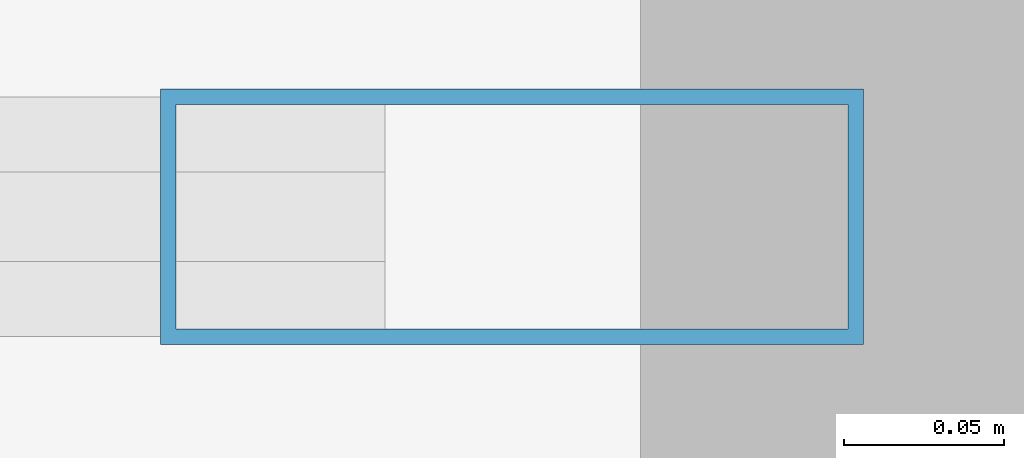
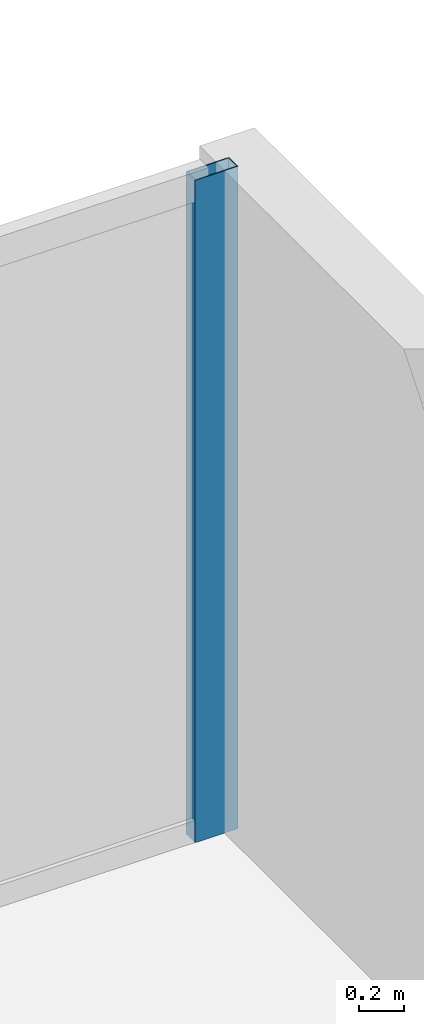
# One storey, part 14 of 24: 1 member, 1 element without a shape of its own.
"""IFC4 building model written with IfcOpenShell, lengths in metres."""

import ifcopenshell
import ifcopenshell.guid

model = None  # the IFC model being written
_history = None  # IfcOwnerHistory: only IFC2X3 demands one
_inside = {}  # id of a spatial element -> (the spatial element, [elements in it])
_under = {}  # id of a project, library or spatial element -> (it, [spatial elements below it])
_declared = {}  # id of a project -> (the project, [libraries it declares])
_typed = {}  # id of a type object -> (the type object, [elements of that type])
_made_of = {}  # id of a material, layer set ... -> (it, [elements and type objects made of it])


def new_model(schema):
    """Start an empty IFC model of exactly this schema.

    Asked for "IFC4X3", IfcOpenShell would pick the latest addendum, in which some entities
    have other attributes; the version numbers below select the first issue.
    IFC2X3 requires an IfcOwnerHistory on every rooted entity: one is made here for all.
    """
    global model, _history
    if schema == "IFC4X3":
        model = ifcopenshell.file(schema_version=(4, 3, 0, 0))
    else:
        model = ifcopenshell.file(schema=schema)
    _inside.clear()
    _under.clear()
    _declared.clear()
    _typed.clear()
    _made_of.clear()
    _history = None
    if model.schema == "IFC2X3":
        org = make("IfcOrganization", Name="unknown")
        user = make(
            "IfcPersonAndOrganization",
            ThePerson=make("IfcPerson", FamilyName="unknown"),
            TheOrganization=org,
        )
        app = make(
            "IfcApplication",
            ApplicationDeveloper=org,
            Version="unknown",
            ApplicationFullName="unknown",
            ApplicationIdentifier="unknown",
        )
        _history = make(
            "IfcOwnerHistory",
            OwningUser=user,
            OwningApplication=app,
            ChangeAction="ADDED",
            CreationDate=0,
        )
    return model


def make(cls, **values):
    """One entity of the class cls with the attributes given. An attribute that is None is left unset."""
    return model.create_entity(
        cls, **{name: value for name, value in values.items() if value is not None}
    )


def rooted(cls, **values):
    """An entity with a GlobalId (a new one), such as an element, a storey or a relation."""
    return make(cls, GlobalId=ifcopenshell.guid.new(), OwnerHistory=_history, **values)


def si_unit(unit_type, name, prefix=None):
    """IfcSIUnit, for example si_unit("LENGTHUNIT", "METRE", prefix="MILLI")."""
    return make("IfcSIUnit", UnitType=unit_type, Prefix=prefix, Name=name)


def assignment(units):
    """IfcUnitAssignment: the units of a project."""
    return None if units is None else make("IfcUnitAssignment", Units=units)


def point(xyz):
    """IfcCartesianPoint."""
    return None if xyz is None else make("IfcCartesianPoint", Coordinates=xyz)


def direction(xyz):
    """IfcDirection."""
    return None if xyz is None else make("IfcDirection", DirectionRatios=xyz)


def frame(location, z_axis=None, x_axis=None):
    """IfcAxis2Placement3D, a coordinate frame: its origin and axes. An axis left out is left unset."""
    return make(
        "IfcAxis2Placement3D",
        Location=point(location),
        Axis=direction(z_axis),
        RefDirection=direction(x_axis),
    )


def frame_2d(location, x_axis=None):
    """IfcAxis2Placement2D, a coordinate frame in the plane: its origin and x axis."""
    return make(
        "IfcAxis2Placement2D", Location=point(location), RefDirection=direction(x_axis)
    )


def origin():
    """The frame at (0, 0, 0) with its axes left unset."""
    return frame((0.0, 0.0, 0.0))


def origin_with_axes():
    """The frame at (0, 0, 0) with the z axis (0, 0, 1) and the x axis (1, 0, 0) written out."""
    return frame((0.0, 0.0, 0.0), z_axis=(0.0, 0.0, 1.0), x_axis=(1.0, 0.0, 0.0))


def origin_2d():
    """The frame at (0, 0) in the plane with its x axis left unset."""
    return frame_2d((0.0, 0.0))


def place(relative_to, where):
    """IfcLocalPlacement: puts the frame where relative to a parent placement (None: the world)."""
    return make(
        "IfcLocalPlacement", PlacementRelTo=relative_to, RelativePlacement=where
    )


def context(
    kind, dimensions, precision=None, world=None, true_north=None, identifier=None
):
    """IfcGeometricRepresentationContext, for example the 3D "Model" context."""
    return make(
        "IfcGeometricRepresentationContext",
        ContextIdentifier=identifier,
        ContextType=kind,
        CoordinateSpaceDimension=dimensions,
        Precision=precision,
        WorldCoordinateSystem=world,
        TrueNorth=true_north,
    )


def subcontext(parent, identifier, kind, view, scale=None):
    """IfcGeometricRepresentationSubContext, for example "Body" below "Model"."""
    return make(
        "IfcGeometricRepresentationSubContext",
        ContextIdentifier=identifier,
        ContextType=kind,
        ParentContext=parent,
        TargetScale=scale,
        TargetView=view,
    )


def project(units=None, contexts=None):
    """IfcProject with its units and contexts."""
    return rooted(
        "IfcProject",
        Name="project",
        RepresentationContexts=contexts,
        UnitsInContext=assignment(units),
    )


def spatial(cls, under=None, at=None, **own):
    """A site, building, storey or space (cls), placed at a placement, below another one or the project."""
    s = rooted(cls, ObjectPlacement=at, **own)
    if under is not None:
        _under.setdefault(under.id(), (under, []))[1].append(s)
    return s


def profile(cls, at=None, kind="AREA", **sizes):
    """A parametric profile (cls). Its sizes go by their IFC names, for example OverallWidth=200.0."""
    return make(cls, ProfileType=kind, Position=at, **sizes)


def hollow_rectangle(**sizes):
    """IfcRectangleHollowProfileDef."""
    return profile("IfcRectangleHollowProfileDef", **sizes)


def extrude(swept, where, along, depth):
    """IfcExtrudedAreaSolid: the profile swept, set in the frame where, extruded along a direction by depth."""
    return make(
        "IfcExtrudedAreaSolid",
        SweptArea=swept,
        Position=where,
        ExtrudedDirection=direction(along),
        Depth=depth,
    )


def shape(context_of_items, identifier, shape_type, items):
    """IfcShapeRepresentation: the items that make up one representation, for example the "Body"."""
    return make(
        "IfcShapeRepresentation",
        ContextOfItems=context_of_items,
        RepresentationIdentifier=identifier,
        RepresentationType=shape_type,
        Items=items,
    )


def source(mapping_origin, context_of_items, identifier, shape_type, items):
    """IfcRepresentationMap: a shape defined once, which mapped items show again and again."""
    return make(
        "IfcRepresentationMap",
        MappingOrigin=mapping_origin,
        MappedRepresentation=shape(context_of_items, identifier, shape_type, items),
    )


def transform(
    local_origin,
    x_axis=None,
    y_axis=None,
    z_axis=None,
    scale=None,
    scale2=None,
    scale3=None,
    uniform=True,
):
    """IfcCartesianTransformationOperator3D, or its non-uniform kind. x_axis, y_axis, z_axis: its Axis1, 2, 3."""
    if uniform:
        return make(
            "IfcCartesianTransformationOperator3D",
            Axis1=direction(x_axis),
            Axis2=direction(y_axis),
            LocalOrigin=point(local_origin),
            Scale=scale,
            Axis3=direction(z_axis),
        )
    return make(
        "IfcCartesianTransformationOperator3DnonUniform",
        Axis1=direction(x_axis),
        Axis2=direction(y_axis),
        LocalOrigin=point(local_origin),
        Scale=scale,
        Axis3=direction(z_axis),
        Scale2=scale2,
        Scale3=scale3,
    )


def mapped(mapping_source, mapping_target):
    """IfcMappedItem: shows the shape of a source again, moved by a transform."""
    return make(
        "IfcMappedItem", MappingSource=mapping_source, MappingTarget=mapping_target
    )


def material(Name=None, Category=None):
    """IfcMaterial."""
    return make("IfcMaterial", Name=Name, Category=Category)


def layer(
    of_material, thickness, ventilated=None, Name=None, Category=None, Priority=None
):
    """IfcMaterialLayer: one layer of a wall or slab, of a material (None: an air gap)."""
    return make(
        "IfcMaterialLayer",
        Material=of_material,
        LayerThickness=thickness,
        IsVentilated=ventilated,
        Name=Name,
        Category=Category,
        Priority=Priority,
    )


def layer_set(layers, Name=None):
    """IfcMaterialLayerSet."""
    return make("IfcMaterialLayerSet", MaterialLayers=layers, LayerSetName=Name)


def material_profile(
    of_material, cross_section, Name=None, Category=None, Priority=None
):
    """IfcMaterialProfile: a cross section and its material."""
    return make(
        "IfcMaterialProfile",
        Name=Name,
        Material=of_material,
        Profile=cross_section,
        Priority=Priority,
        Category=Category,
    )


def profile_set(profiles, Name=None, composite=None):
    """IfcMaterialProfileSet."""
    return make(
        "IfcMaterialProfileSet",
        Name=Name,
        MaterialProfiles=profiles,
        CompositeProfile=composite,
    )


def made_of(thing, what):
    """Note that an element or type object is made of a material, layer set ...; save() writes the relation."""
    if what is not None:
        _made_of.setdefault(what.id(), (what, []))[1].append(thing)
    return thing


def type_object(cls, material=None, **own):
    """A type object (cls), such as IfcWallType, which elements share."""
    return made_of(rooted(cls, **own), material)


def element(
    cls,
    number,
    at=None,
    inside=None,
    cuts=None,
    type_object=None,
    material=None,
    context=None,
    identifier="Body",
    shape_type=None,
    held_by="IfcProductDefinitionShape",
    body=None,
    shapes=None,
    **own,
):
    """One element of the class cls, such as IfcWall. Its Tag is "e" and its number.

    at: its placement. inside: the storey or other place that contains it. cuts: it is an
    opening in that element (IfcRelVoidsElement). A single representation is given by context,
    identifier, shape_type and body (its items); several are given by shapes. held_by: the class
    of the entity that holds the representations. save() writes the other relations.
    """
    e = rooted(cls, Tag="e%d" % number, ObjectPlacement=at, **own)
    if body is not None:
        shapes = [shape(context, identifier, shape_type, body)]
    if shapes is not None:
        e.Representation = make(held_by, Representations=shapes)
    if inside is not None:
        _inside.setdefault(inside.id(), (inside, []))[1].append(e)
    if cuts is not None:
        rooted(
            "IfcRelVoidsElement", RelatingBuildingElement=cuts, RelatedOpeningElement=e
        )
    if type_object is not None:
        _typed.setdefault(type_object.id(), (type_object, []))[1].append(e)
    return made_of(e, material)


def aggregate(whole, parts):
    """IfcRelAggregates: a whole, such as a stair, and the parts it consists of."""
    return rooted("IfcRelAggregates", RelatingObject=whole, RelatedObjects=parts)


def save(model, path):
    """Write the relations noted so far, then the file.

    IfcRelAggregates (storeys below a building ...), IfcRelContainedInSpatialStructure (elements
    in a storey), IfcRelDefinesByType, IfcRelAssociatesMaterial and IfcRelDeclares: one each for
    every whole, place, type object, material and project.
    """
    for whole, parts in _under.values():
        aggregate(whole, parts)
    for where, things in _inside.values():
        rooted(
            "IfcRelContainedInSpatialStructure",
            RelatedElements=things,
            RelatingStructure=where,
        )
    for kind, things in _typed.values():
        rooted("IfcRelDefinesByType", RelatedObjects=things, RelatingType=kind)
    for what, things in _made_of.values():
        rooted("IfcRelAssociatesMaterial", RelatedObjects=things, RelatingMaterial=what)
    for by, libraries in _declared.values():
        rooted("IfcRelDeclares", RelatingContext=by, RelatedDefinitions=libraries)
    model.write(path)


model = new_model("IFC4")

# Units and contexts
model_context = context("Model", 3, precision=1e-05, world=origin(), true_north=direction((0.0, 1.0)))
body_context = subcontext(model_context, "Body", "Model", "MODEL_VIEW")
ifc_project = project(units=[si_unit("LENGTHUNIT", "METRE"), si_unit("AREAUNIT", "SQUARE_METRE"), si_unit("VOLUMEUNIT", "CUBIC_METRE"), si_unit("PLANEANGLEUNIT", "RADIAN"), si_unit("MASSUNIT", "GRAM", prefix="KILO")], contexts=[model_context])

# Site, building, storey
site_placement = place(None, origin())
site = spatial("IfcSite", under=ifc_project, at=site_placement, CompositionType="ELEMENT")
building_placement = place(site_placement, origin())
building = spatial("IfcBuilding", under=site, at=building_placement, Name="Kolvaren Waterfront Exchange", CompositionType="ELEMENT")
storey_placement = place(building_placement, frame((0.0, 0.0, 169.0)))
storey = spatial("IfcBuildingStorey", under=building, at=storey_placement, Name="L43", CompositionType="ELEMENT", Elevation=169.0)

# Curtain wall, member
ifc_material_1 = material(Name="Anodised bronze aluminium 6063-T6", Category="aluminium")
ifc_layer = layer(ifc_material_1, 0.219970703125, Name="Anodised bronze aluminium 6063-T6")
ifc_layer_set = layer_set([ifc_layer], Name="Anodised bronze aluminium 6063-T6")
curtain_wall_type = type_object("IfcCurtainWallType", Name="ARC-CW-SYS1", PredefinedType="USERDEFINED", material=ifc_layer_set)
curtain_wall_placement = place(storey_placement, origin())
curtain_wall = element("IfcCurtainWall", 1, at=curtain_wall_placement, inside=storey, type_object=curtain_wall_type, Name="L43 stick curtain wall CW1 (CW-L43-EN)", ObjectType="STICK CURTAIN WALL", PredefinedType="USERDEFINED")
ifc_material_2 = material(Name="Anodised aluminium 6063-T6", Category="aluminium")
ifc_material_profile = material_profile(ifc_material_2, hollow_rectangle(XDim=0.080078125, YDim=0.219970703125, WallThickness=0.0048828125, at=origin_2d()), Name="ALU-MUL-220x80x5")
ifc_profile_set = profile_set([ifc_material_profile], Name="Anodised aluminium 6063-T6")
member_type = type_object("IfcMemberType", Name="ARC-CWM-220", PredefinedType="MULLION", material=ifc_profile_set)
shared_shape = source(origin_with_axes(), body_context, "Body", "SweptSolid", [
    extrude(hollow_rectangle(XDim=0.080078125, YDim=0.219970703125, WallThickness=0.0048828125, at=origin_2d()), origin(), (0.0, 0.0, 1.0), 3.56005859375),
])
member_placement = place(storey_placement, frame((54.659912109375, 20.9599609375, 0.0), z_axis=(0.0, 0.0, 1.0), x_axis=(0.0, 1.0, 0.0)))
member = element("IfcMember", 2, at=member_placement, type_object=member_type, Name="CW1 mullion 5", PredefinedType="MULLION", context=body_context, shape_type="MappedRepresentation", body=[
    mapped(shared_shape, transform((0.0, 0.0, 0.0), x_axis=(1.0, 0.0, 0.0), y_axis=(0.0, 1.0, 0.0), z_axis=(0.0, 0.0, 1.0), scale=1.0)),
])
aggregate(curtain_wall, [member])

save(model, "model.ifc")
